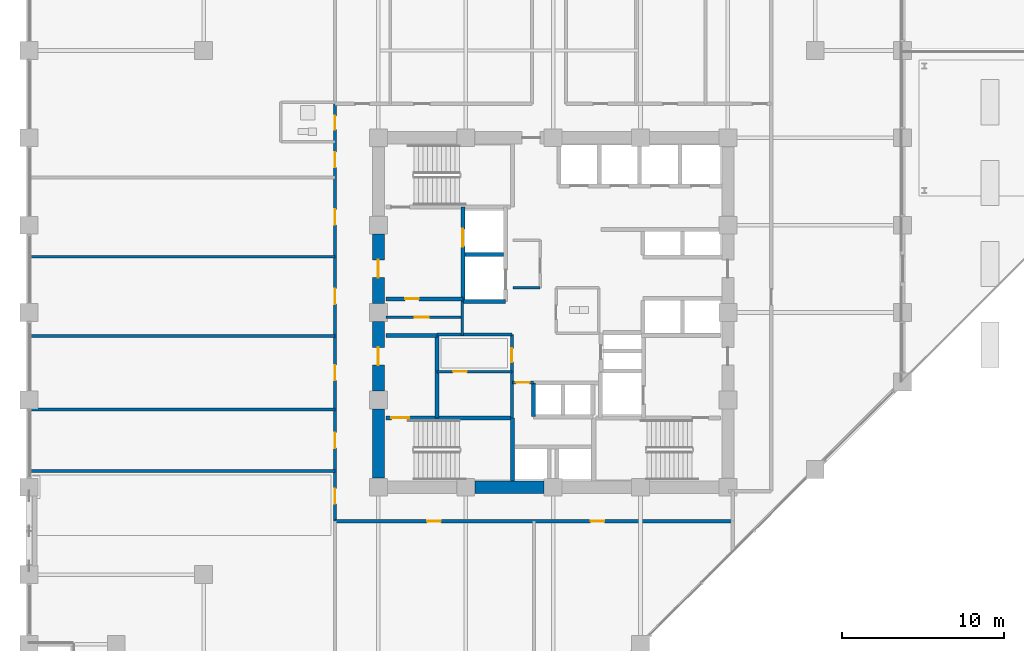
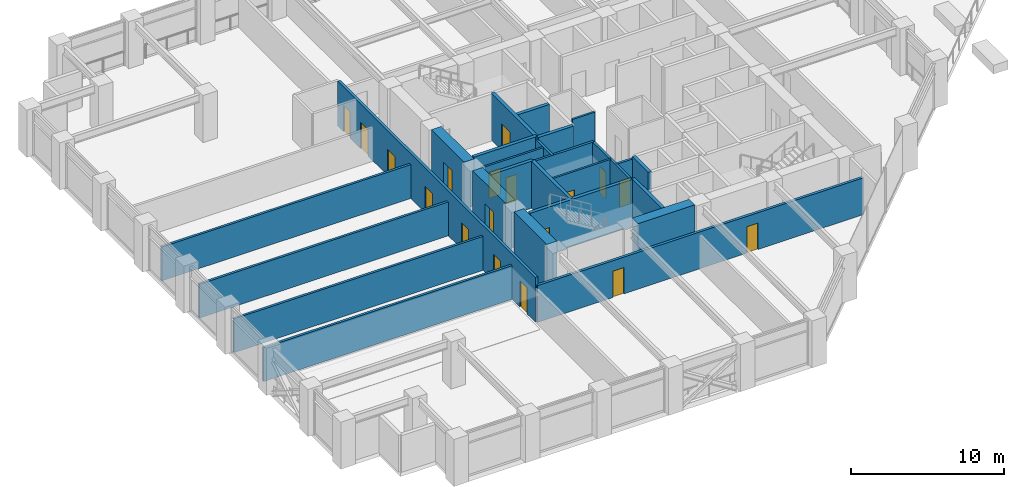
# One storey, part 20 of 30: 26 walls, 18 doors, 18 openings.
"""IFC4 building model written with IfcOpenShell, lengths in metres."""

from ifc_helpers import new_model, si_unit, direction, frame, frame_2d, origin, place, context, subcontext, project, spatial, rectangle, extrude, material, layer, layer_set, type_object, element, fill, save


model = new_model("IFC4")

# Units and contexts
model_context = context("Model", 3, precision=1e-05, world=origin(), true_north=direction((0.0, 1.0)))
body_context = subcontext(model_context, "Body", "Model", "MODEL_VIEW")
ifc_project = project(units=[si_unit("LENGTHUNIT", "METRE"), si_unit("AREAUNIT", "SQUARE_METRE"), si_unit("VOLUMEUNIT", "CUBIC_METRE"), si_unit("PLANEANGLEUNIT", "RADIAN"), si_unit("MASSUNIT", "GRAM", prefix="KILO")], contexts=[model_context])

# Site, building, storey
site_placement = place(None, origin())
site = spatial("IfcSite", under=ifc_project, at=site_placement, CompositionType="ELEMENT")
building_placement = place(site_placement, origin())
building = spatial("IfcBuilding", under=site, at=building_placement, Name="Surkhivell Harbour Commons", CompositionType="ELEMENT")
storey_placement = place(building_placement, frame((0.0, 0.0, 83.25)))
storey = spatial("IfcBuildingStorey", under=building, at=storey_placement, Name="L21", CompositionType="ELEMENT", Elevation=83.25)

# Walls
ifc_material_1 = material(Name="Concrete C60/75", Category="concrete")
ifc_layer_1 = layer(ifc_material_1, 0.75)
ifc_layer_set_1 = layer_set([ifc_layer_1], Name="Concrete C60/75")
wall_type_1 = type_object("IfcWallType", Name="WAL-CORE-750", PredefinedType="SHEAR", material=ifc_layer_set_1)
for number, where, z_axis, x_axis, name in (
    (1, (-10.800048828125, -10.239990234375, 0.0), (0.0, 0.0, 1.0), (0.0, 1.0, 0.0), "L21 Core Shear Wall West 1"),
    (2, (-4.840087890625, -10.800048828125, 0.0), (0.0, 0.0, 1.0), (1.0, 0.0, 0.0), "L21 Core Shear Wall South 2"),
):
    element("IfcWall", number, at=place(storey_placement, frame(where, z_axis=z_axis, x_axis=x_axis)), inside=storey, type_object=wall_type_1, Name=name, PredefinedType="SHEAR", context=body_context, shape_type="SweptSolid", body=[
        extrude(rectangle(XDim=4.280029296875, YDim=0.75, at=frame_2d((2.14013671875, 0.0))), origin(), (0.0, 0.0, 1.0), 3.75),
    ])

# Wall, opening, door
wall_1_placement = place(storey_placement, frame((-10.800048828125, -4.840087890625, 0.0), z_axis=(0.0, 0.0, 1.0), x_axis=(0.0, 1.0, 0.0)))
wall_1 = element("IfcWall", 3, at=wall_1_placement, inside=storey, type_object=wall_type_1, Name="L21 Core Shear Wall West 2", PredefinedType="SHEAR", context=body_context, shape_type="SweptSolid", body=[
    extrude(rectangle(XDim=4.280029296875, YDim=0.75, at=frame_2d((2.14013671875, 0.0))), origin(), (0.0, 0.0, 1.0), 3.75),
])
opening_1_placement = place(wall_1_placement, frame((1.590087890625, 0.0, 0.0)))
opening_1 = element("IfcOpeningElement", 4, at=opening_1_placement, cuts=wall_1, Name="Opening ID-2", PredefinedType="OPENING", context=body_context, shape_type="SweptSolid", body=[
    extrude(rectangle(XDim=1.10009765625, YDim=2.10009765625, at=frame_2d((0.550048828125, 1.050048828125))), frame((0.0, 0.385009765625, 0.0), z_axis=(0.0, -1.0, 0.0), x_axis=(1.0, 0.0, 0.0)), (0.0, 0.0, 1.0), 0.77001953125),
])
ifc_material_2 = material(Name="Hardwood-veneered fire-rated door leaf", Category="wood")
door_type_1 = type_object("IfcDoorType", Name="DOR-FD60-1100", OperationType="NOTDEFINED", PredefinedType="DOOR", material=ifc_material_2)
door_1_placement = place(opening_1_placement, origin())
door_1 = element("IfcDoor", 5, at=door_1_placement, inside=storey, type_object=door_type_1, Name="L21 Stair 3 Lobby Corridor Door", OperationType="SINGLE_SWING_LEFT", OverallHeight=2.10009765625, OverallWidth=1.10009765625, PredefinedType="DOOR", context=body_context, shape_type="SweptSolid", body=[
    extrude(rectangle(XDim=1.10009765625, YDim=2.10009765625, at=frame_2d((0.550048828125, 1.050048828125))), frame((0.0, 0.02490234375, 0.0), z_axis=(0.0, -1.0, 0.0), x_axis=(1.0, 0.0, 0.0)), (0.0, 0.0, 1.0), 0.050048828125),
])
fill(opening_1, door_1)

wall_2_placement = place(storey_placement, frame((-10.800048828125, 0.56005859375, 0.0), z_axis=(0.0, 0.0, 1.0), x_axis=(0.0, 1.0, 0.0)))
wall_2 = element("IfcWall", 6, at=wall_2_placement, inside=storey, type_object=wall_type_1, Name="L21 Core Shear Wall West 3", PredefinedType="SHEAR", context=body_context, shape_type="SweptSolid", body=[
    extrude(rectangle(XDim=4.280029296875, YDim=0.75, at=frame_2d((2.14013671875, 0.0))), origin(), (0.0, 0.0, 1.0), 3.75),
])
opening_2_placement = place(wall_2_placement, frame((1.590087890625, 0.0, 0.0)))
opening_2 = element("IfcOpeningElement", 7, at=opening_2_placement, cuts=wall_2, Name="Opening ID-1", PredefinedType="OPENING", context=body_context, shape_type="SweptSolid", body=[
    extrude(rectangle(XDim=1.10009765625, YDim=2.10009765625, at=frame_2d((0.550048828125, 1.050048828125))), frame((0.0, 0.385009765625, 0.0), z_axis=(0.0, -1.0, 0.0), x_axis=(1.0, 0.0, 0.0)), (0.0, 0.0, 1.0), 0.77001953125),
])
door_type_2 = type_object("IfcDoorType", Name="DOR-FD120-1100", OperationType="NOTDEFINED", PredefinedType="DOOR", material=ifc_material_2)
door_2_placement = place(opening_2_placement, origin())
door_2 = element("IfcDoor", 8, at=door_2_placement, inside=storey, type_object=door_type_2, Name="L21 Firefighting Lobby 1 Corridor Door", OperationType="SINGLE_SWING_LEFT", OverallHeight=2.10009765625, OverallWidth=1.10009765625, PredefinedType="DOOR", context=body_context, shape_type="SweptSolid", body=[
    extrude(rectangle(XDim=1.10009765625, YDim=2.10009765625, at=frame_2d((0.550048828125, 1.050048828125))), frame((0.0, 0.02490234375, 0.0), z_axis=(0.0, -1.0, 0.0), x_axis=(1.0, 0.0, 0.0)), (0.0, 0.0, 1.0), 0.050048828125),
])
fill(opening_2, door_2)

ifc_material_3 = material(Name="Twin-stud acoustic fireboard partition", Category="other")
ifc_layer_2 = layer(ifc_material_3, 0.14990234375)
ifc_layer_set_2 = layer_set([ifc_layer_2], Name="Twin-stud acoustic fireboard partition")
wall_type_2 = type_object("IfcWallType", Name="WAL-INT-150", PredefinedType="PARTITIONING", material=ifc_layer_set_2)
wall_3_placement = place(storey_placement, frame((-7.179931640625, -3.64990234375, 0.0), z_axis=(0.0, 0.0, 1.0), x_axis=(1.0, 0.0, 0.0)))
wall_3 = element("IfcWall", 9, at=wall_3_placement, inside=storey, type_object=wall_type_2, Name="L21 Core Cut C1 Partition", PredefinedType="PARTITIONING", context=body_context, shape_type="SweptSolid", body=[
    extrude(rectangle(XDim=4.6298828125, YDim=0.14990234375, at=frame_2d((2.31494140625, 0.0))), origin(), (0.0, 0.0, 1.0), 3.570068359375),
])
opening_3_placement = place(wall_3_placement, frame((1.0, 0.0, 0.0)))
opening_3 = element("IfcOpeningElement", 10, at=opening_3_placement, cuts=wall_3, Name="Opening ID-6", PredefinedType="OPENING", context=body_context, shape_type="SweptSolid", body=[
    extrude(rectangle(XDim=0.85009765625, YDim=2.10009765625, at=frame_2d((0.425048828125, 1.050048828125))), frame((0.0, 0.0849609375, 0.0), z_axis=(0.0, -1.0, 0.0), x_axis=(1.0, 0.0, 0.0)), (0.0, 0.0, 1.0), 0.169921875),
])
door_type_3 = type_object("IfcDoorType", Name="DOR-FD30-850", OperationType="NOTDEFINED", PredefinedType="DOOR", material=ifc_material_2)
door_3_placement = place(opening_3_placement, origin())
door_3 = element("IfcDoor", 11, at=door_3_placement, inside=storey, type_object=door_type_3, Name="L21 Cleaner Room Door", OperationType="SINGLE_SWING_LEFT", OverallHeight=2.10009765625, OverallWidth=0.85009765625, PredefinedType="DOOR", context=body_context, shape_type="SweptSolid", body=[
    extrude(rectangle(XDim=0.85009765625, YDim=2.10009765625, at=frame_2d((0.425048828125, 1.050048828125))), frame((0.0, 0.02490234375, 0.0), z_axis=(0.0, -1.0, 0.0), x_axis=(1.0, 0.0, 0.0)), (0.0, 0.0, 1.0), 0.050048828125),
])
fill(opening_3, door_3)

wall_4_placement = place(storey_placement, frame((-10.340087890625, -0.2900390625, 0.0), z_axis=(0.0, 0.0, 1.0), x_axis=(1.0, 0.0, 0.0)))
wall_4 = element("IfcWall", 12, at=wall_4_placement, inside=storey, type_object=wall_type_2, Name="L21 West Core Horizontal Cut", PredefinedType="PARTITIONING", context=body_context, shape_type="SweptSolid", body=[
    extrude(rectangle(XDim=4.719970703125, YDim=0.14990234375, at=frame_2d((2.35986328125, 0.0))), origin(), (0.0, 0.0, 1.0), 3.570068359375),
])
opening_4_placement = place(wall_4_placement, frame((1.800048828125, 0.0, 0.0)))
opening_4 = element("IfcOpeningElement", 13, at=opening_4_placement, cuts=wall_4, Name="Opening ID-6", PredefinedType="OPENING", context=body_context, shape_type="SweptSolid", body=[
    extrude(rectangle(XDim=0.85009765625, YDim=2.10009765625, at=frame_2d((0.425048828125, 1.050048828125))), frame((0.0, 0.0849609375, 0.0), z_axis=(0.0, -1.0, 0.0), x_axis=(1.0, 0.0, 0.0)), (0.0, 0.0, 1.0), 0.169921875),
])
door_4_placement = place(opening_4_placement, origin())
door_4 = element("IfcDoor", 14, at=door_4_placement, inside=storey, type_object=door_type_3, Name="L21 West Music Pod Door", OperationType="SINGLE_SWING_RIGHT", OverallHeight=2.10009765625, OverallWidth=0.85009765625, PredefinedType="DOOR", context=body_context, shape_type="SweptSolid", body=[
    extrude(rectangle(XDim=0.85009765625, YDim=2.10009765625, at=frame_2d((0.425048828125, 1.050048828125))), frame((0.0, 0.02490234375, 0.0), z_axis=(0.0, -1.0, 0.0), x_axis=(1.0, 0.0, 0.0)), (0.0, 0.0, 1.0), 0.050048828125),
])
fill(opening_4, door_4)

# Wall
wall_5_placement = place(storey_placement, frame((-2.47998046875, 1.52001953125, 0.0), z_axis=(0.0, 0.0, 1.0), x_axis=(1.0, 0.0, 0.0)))
element("IfcWall", 15, at=wall_5_placement, inside=storey, type_object=wall_type_2, Name="L21 Core Seminar South Wall", PredefinedType="PARTITIONING", context=body_context, shape_type="SweptSolid", body=[
    extrude(rectangle(XDim=1.679931640625, YDim=0.14990234375, at=frame_2d((0.83984375, 0.0))), origin(), (0.0, 0.0, 1.0), 3.570068359375),
])

# Wall, opening, door
ifc_material_4 = material(Name="High-density acoustic blockwork fire partition", Category="masonry")
ifc_layer_3 = layer(ifc_material_4, 0.175048828125)
ifc_layer_set_3 = layer_set([ifc_layer_3], Name="High-density acoustic blockwork fire partition")
wall_type_3 = type_object("IfcWallType", Name="WAL-INT-175", PredefinedType="PARTITIONING", material=ifc_layer_set_3)
wall_6_placement = place(storey_placement, frame((-2.550048828125, -6.510009765625, 0.0), z_axis=(0.0, 0.0, 1.0), x_axis=(0.0, 1.0, 0.0)))
wall_6 = element("IfcWall", 16, at=wall_6_placement, inside=storey, type_object=wall_type_3, Name="L21 Core Service Bay East Wall", PredefinedType="PARTITIONING", context=body_context, shape_type="SweptSolid", body=[
    extrude(rectangle(XDim=5.159912109375, YDim=0.175048828125, at=frame_2d((2.580078125, 0.0))), origin(), (0.0, 0.0, 1.0), 3.570068359375),
])
opening_5_placement = place(wall_6_placement, frame((3.449951171875, 0.0, 0.0)))
opening_5 = element("IfcOpeningElement", 17, at=opening_5_placement, cuts=wall_6, Name="Opening ID-6", PredefinedType="OPENING", context=body_context, shape_type="SweptSolid", body=[
    extrude(rectangle(XDim=0.85009765625, YDim=2.10009765625, at=frame_2d((0.425048828125, 1.050048828125))), frame((0.0, 0.097412109375, 0.0), z_axis=(0.0, -1.0, 0.0), x_axis=(1.0, 0.0, 0.0)), (0.0, 0.0, 1.0), 0.195068359375),
])
door_5_placement = place(opening_5_placement, origin())
door_5 = element("IfcDoor", 18, at=door_5_placement, inside=storey, type_object=door_type_3, Name="L21 Core Seminar Door", OperationType="SINGLE_SWING_LEFT", OverallHeight=2.10009765625, OverallWidth=0.85009765625, PredefinedType="DOOR", context=body_context, shape_type="SweptSolid", body=[
    extrude(rectangle(XDim=0.85009765625, YDim=2.10009765625, at=frame_2d((0.425048828125, 1.050048828125))), frame((0.0, 0.02490234375, 0.0), z_axis=(0.0, -1.0, 0.0), x_axis=(1.0, 0.0, 0.0)), (0.0, 0.0, 1.0), 0.050048828125),
])
fill(opening_5, door_5)

# Walls
wall_7_placement = place(storey_placement, frame((-7.179931640625, -1.35009765625, 0.0), z_axis=(0.0, 0.0, 1.0), x_axis=(1.0, 0.0, 0.0)))
element("IfcWall", 19, at=wall_7_placement, inside=storey, type_object=wall_type_3, Name="L21 Core Service Bay North Wall", PredefinedType="PARTITIONING", context=body_context, shape_type="SweptSolid", body=[
    extrude(rectangle(XDim=4.6298828125, YDim=0.175048828125, at=frame_2d((2.31494140625, 0.0))), origin(), (0.0, 0.0, 1.0), 3.570068359375),
])
wall_8_placement = place(storey_placement, frame((-5.6201171875, -1.419921875, 0.0), z_axis=(0.0, 0.0, 1.0), x_axis=(0.0, 1.0, 0.0)))
element("IfcWall", 20, at=wall_8_placement, inside=storey, type_object=wall_type_3, Name="L21 West Core Bay East Wall", PredefinedType="PARTITIONING", context=body_context, shape_type="SweptSolid", body=[
    extrude(rectangle(XDim=2.139892578125, YDim=0.175048828125, at=frame_2d((1.06982421875, 0.0))), origin(), (0.0, 0.0, 1.0), 3.570068359375),
])

# Wall, opening, door
wall_9_placement = place(storey_placement, frame((-2.52001953125, -4.320068359375, 0.0), z_axis=(0.0, 0.0, 1.0), x_axis=(1.0, 0.0, 0.0)))
wall_9 = element("IfcWall", 21, at=wall_9_placement, inside=storey, type_object=wall_type_3, Name="L21 High-Rise Lobby North Portal Wall", PredefinedType="PARTITIONING", context=body_context, shape_type="SweptSolid", body=[
    extrude(rectangle(XDim=1.300048828125, YDim=0.175048828125, at=frame_2d((0.64990234375, 0.0))), origin(), (0.0, 0.0, 1.0), 3.570068359375),
])
opening_6_placement = place(wall_9_placement, frame((0.219970703125, 0.0, 0.0)))
opening_6 = element("IfcOpeningElement", 22, at=opening_6_placement, cuts=wall_9, Name="Opening ID-6", PredefinedType="OPENING", context=body_context, shape_type="SweptSolid", body=[
    extrude(rectangle(XDim=0.85009765625, YDim=2.10009765625, at=frame_2d((0.425048828125, 1.050048828125))), frame((0.0, 0.097412109375, 0.0), z_axis=(0.0, -1.0, 0.0), x_axis=(1.0, 0.0, 0.0)), (0.0, 0.0, 1.0), 0.195068359375),
])
door_6_placement = place(opening_6_placement, origin())
door_6 = element("IfcDoor", 23, at=door_6_placement, inside=storey, type_object=door_type_3, Name="L21 High-Rise Lift Lobby North Door", OperationType="SINGLE_SWING_LEFT", OverallHeight=2.10009765625, OverallWidth=0.85009765625, PredefinedType="DOOR", context=body_context, shape_type="SweptSolid", body=[
    extrude(rectangle(XDim=0.85009765625, YDim=2.10009765625, at=frame_2d((0.425048828125, 1.050048828125))), frame((0.0, 0.02490234375, 0.0), z_axis=(0.0, -1.0, 0.0), x_axis=(1.0, 0.0, 0.0)), (0.0, 0.0, 1.0), 0.050048828125),
])
fill(opening_6, door_6)

# Walls
for number, where, z_axis, x_axis, name in (
    (24, (-32.340087890625, -5.989990234375, 0.0), (0.0, 0.0, 1.0), (1.0, 0.0, 0.0), "L21 West Partition BDP1"),
    (25, (-32.340087890625, -1.449951171875, 0.0), (0.0, 0.0, 1.0), (1.0, 0.0, 0.0), "L21 West Partition BDP2"),
    (26, (-32.340087890625, 3.449951171875, 0.0), (0.0, 0.0, 1.0), (1.0, 0.0, 0.0), "L21 West Partition BDP3"),
    (27, (-32.340087890625, -9.800048828125, 0.0), (0.0, 0.0, 1.0), (1.0, 0.0, 0.0), "L21 West Partition PBOT"),
):
    element("IfcWall", number, at=place(storey_placement, frame(where, z_axis=z_axis, x_axis=x_axis)), inside=storey, type_object=wall_type_3, Name=name, PredefinedType="PARTITIONING", context=body_context, shape_type="SweptSolid", body=[
        extrude(rectangle(XDim=18.860107421875, YDim=0.175048828125, at=frame_2d((9.43017578125, 0.0))), origin(), (0.0, 0.0, 1.0), 2.698974609375),
    ])

# Wall, openings, doors
ifc_material_5 = material(Name="Autoclaved aerated concrete blockwork and fire plaster", Category="masonry")
ifc_layer_4 = layer(ifc_material_5, 0.199951171875)
ifc_layer_set_4 = layer_set([ifc_layer_4], Name="Autoclaved aerated concrete blockwork and fire plaster")
wall_type_4 = type_object("IfcWallType", Name="WAL-INT-200", PredefinedType="PARTITIONING", material=ifc_layer_set_4)
wall_10_placement = place(storey_placement, frame((-13.47998046875, -12.89990234375, 0.0), z_axis=(0.0, 0.0, 1.0), x_axis=(1.0, 0.0, 0.0)))
wall_10 = element("IfcWall", 28, at=wall_10_placement, inside=storey, type_object=wall_type_4, Name="L21 Corridor South Wall", PredefinedType="PARTITIONING", context=body_context, shape_type="SweptSolid", body=[
    extrude(rectangle(XDim=24.580078125, YDim=0.199951171875, at=frame_2d((12.2900390625, 0.0))), origin(), (0.0, 0.0, 1.0), 2.93310546875),
])
opening_7_placement = place(wall_10_placement, frame((5.695068359375, 0.0, 0.0)))
opening_7 = element("IfcOpeningElement", 29, at=opening_7_placement, cuts=wall_10, Name="Opening ID-6", PredefinedType="OPENING", context=body_context, shape_type="SweptSolid", body=[
    extrude(rectangle(XDim=0.85009765625, YDim=2.10009765625, at=frame_2d((0.425048828125, 1.050048828125))), frame((0.0, 0.10986328125, 0.0), z_axis=(0.0, -1.0, 0.0), x_axis=(1.0, 0.0, 0.0)), (0.0, 0.0, 1.0), 0.219970703125),
])
opening_8_placement = place(wall_10_placement, frame((15.793701171875, 0.0, 0.0)))
opening_8 = element("IfcOpeningElement", 30, at=opening_8_placement, cuts=wall_10, Name="Opening ID-6", PredefinedType="OPENING", context=body_context, shape_type="SweptSolid", body=[
    extrude(rectangle(XDim=0.85009765625, YDim=2.10009765625, at=frame_2d((0.425048828125, 1.050048828125))), frame((0.0, 0.10986328125, 0.0), z_axis=(0.0, -1.0, 0.0), x_axis=(1.0, 0.0, 0.0)), (0.0, 0.0, 1.0), 0.219970703125),
])
door_7_placement = place(opening_7_placement, origin())
door_7 = element("IfcDoor", 31, at=door_7_placement, inside=storey, type_object=door_type_3, Name="L21 Campus Co-Op Bookshop South Door", OperationType="SINGLE_SWING_LEFT", OverallHeight=2.10009765625, OverallWidth=0.85009765625, PredefinedType="DOOR", context=body_context, shape_type="SweptSolid", body=[
    extrude(rectangle(XDim=0.85009765625, YDim=2.10009765625, at=frame_2d((0.425048828125, 1.050048828125))), frame((0.0, 0.02490234375, 0.0), z_axis=(0.0, -1.0, 0.0), x_axis=(1.0, 0.0, 0.0)), (0.0, 0.0, 1.0), 0.050048828125),
])
fill(opening_7, door_7)
door_8_placement = place(opening_8_placement, origin())
door_8 = element("IfcDoor", 32, at=door_8_placement, inside=storey, type_object=door_type_3, Name="L21 Harbour Espresso Cafe Shop South Door", OperationType="SINGLE_SWING_RIGHT", OverallHeight=2.10009765625, OverallWidth=0.85009765625, PredefinedType="DOOR", context=body_context, shape_type="SweptSolid", body=[
    extrude(rectangle(XDim=0.85009765625, YDim=2.10009765625, at=frame_2d((0.425048828125, 1.050048828125))), frame((0.0, 0.02490234375, 0.0), z_axis=(0.0, -1.0, 0.0), x_axis=(1.0, 0.0, 0.0)), (0.0, 0.0, 1.0), 0.050048828125),
])
fill(opening_8, door_8)

wall_11_placement = place(storey_placement, frame((-13.47998046875, -12.89990234375, 0.0), z_axis=(0.0, 0.0, 1.0), x_axis=(0.0, 1.0, 0.0)))
wall_11 = element("IfcWall", 33, at=wall_11_placement, inside=storey, type_object=wall_type_4, Name="L21 Corridor West Wall", PredefinedType="PARTITIONING", context=body_context, shape_type="SweptSolid", body=[
    extrude(rectangle(XDim=25.7998046875, YDim=0.199951171875, at=frame_2d((12.89990234375, 0.0))), origin(), (0.0, 0.0, 1.0), 3.570068359375),
])
opening_9_placement = place(wall_11_placement, frame((1.070068359375, 0.0, 0.0)))
opening_9 = element("IfcOpeningElement", 34, at=opening_9_placement, cuts=wall_11, Name="Opening ID-4", PredefinedType="OPENING", context=body_context, shape_type="SweptSolid", body=[
    extrude(rectangle(XDim=0.949951171875, YDim=2.10009765625, at=frame_2d((0.47509765625, 1.050048828125))), frame((0.0, 0.10986328125, 0.0), z_axis=(0.0, -1.0, 0.0), x_axis=(1.0, 0.0, 0.0)), (0.0, 0.0, 1.0), 0.219970703125),
])
opening_10_placement = place(wall_11_placement, frame((24.205078125, 0.0, 0.0)))
opening_10 = element("IfcOpeningElement", 35, at=opening_10_placement, cuts=wall_11, Name="Opening ID-6", PredefinedType="OPENING", context=body_context, shape_type="SweptSolid", body=[
    extrude(rectangle(XDim=0.85009765625, YDim=2.10009765625, at=frame_2d((0.425048828125, 1.050048828125))), frame((0.0, 0.10986328125, 0.0), z_axis=(0.0, -1.0, 0.0), x_axis=(1.0, 0.0, 0.0)), (0.0, 0.0, 1.0), 0.219970703125),
])
opening_11_placement = place(wall_11_placement, frame((21.8701171875, 0.0, 0.0)))
opening_11 = element("IfcOpeningElement", 36, at=opening_11_placement, cuts=wall_11, Name="Opening ID-4", PredefinedType="OPENING", context=body_context, shape_type="SweptSolid", body=[
    extrude(rectangle(XDim=0.949951171875, YDim=2.10009765625, at=frame_2d((0.47509765625, 1.050048828125))), frame((0.0, 0.10986328125, 0.0), z_axis=(0.0, -1.0, 0.0), x_axis=(1.0, 0.0, 0.0)), (0.0, 0.0, 1.0), 0.219970703125),
])
opening_12_placement = place(wall_11_placement, frame((4.52490234375, 0.0, 0.0)))
opening_12 = element("IfcOpeningElement", 37, at=opening_12_placement, cuts=wall_11, Name="Opening ID-4", PredefinedType="OPENING", context=body_context, shape_type="SweptSolid", body=[
    extrude(rectangle(XDim=0.949951171875, YDim=2.10009765625, at=frame_2d((0.47509765625, 1.050048828125))), frame((0.0, 0.10986328125, 0.0), z_axis=(0.0, -1.0, 0.0), x_axis=(1.0, 0.0, 0.0)), (0.0, 0.0, 1.0), 0.219970703125),
])
opening_13_placement = place(wall_11_placement, frame((8.699951171875, 0.0, 0.0)))
opening_13 = element("IfcOpeningElement", 38, at=opening_13_placement, cuts=wall_11, Name="Opening ID-4", PredefinedType="OPENING", context=body_context, shape_type="SweptSolid", body=[
    extrude(rectangle(XDim=0.949951171875, YDim=2.10009765625, at=frame_2d((0.47509765625, 1.050048828125))), frame((0.0, 0.10986328125, 0.0), z_axis=(0.0, -1.0, 0.0), x_axis=(1.0, 0.0, 0.0)), (0.0, 0.0, 1.0), 0.219970703125),
])
opening_14_placement = place(wall_11_placement, frame((13.419921875, 0.0, 0.0)))
opening_14 = element("IfcOpeningElement", 39, at=opening_14_placement, cuts=wall_11, Name="Opening ID-4", PredefinedType="OPENING", context=body_context, shape_type="SweptSolid", body=[
    extrude(rectangle(XDim=0.949951171875, YDim=2.10009765625, at=frame_2d((0.47509765625, 1.050048828125))), frame((0.0, 0.10986328125, 0.0), z_axis=(0.0, -1.0, 0.0), x_axis=(1.0, 0.0, 0.0)), (0.0, 0.0, 1.0), 0.219970703125),
])
opening_15_placement = place(wall_11_placement, frame((18.320068359375, 0.0, 0.0)))
opening_15 = element("IfcOpeningElement", 40, at=opening_15_placement, cuts=wall_11, Name="Opening ID-4", PredefinedType="OPENING", context=body_context, shape_type="SweptSolid", body=[
    extrude(rectangle(XDim=0.949951171875, YDim=2.10009765625, at=frame_2d((0.47509765625, 1.050048828125))), frame((0.0, 0.10986328125, 0.0), z_axis=(0.0, -1.0, 0.0), x_axis=(1.0, 0.0, 0.0)), (0.0, 0.0, 1.0), 0.219970703125),
])
door_9_placement = place(opening_10_placement, origin())
door_9 = element("IfcDoor", 41, at=door_9_placement, inside=storey, type_object=door_type_3, Name="L21 Communal Shower Bathroom West Door", OperationType="SINGLE_SWING_LEFT", OverallHeight=2.10009765625, OverallWidth=0.85009765625, PredefinedType="DOOR", context=body_context, shape_type="SweptSolid", body=[
    extrude(rectangle(XDim=0.85009765625, YDim=2.10009765625, at=frame_2d((0.425048828125, 1.050048828125))), frame((0.0, 0.02490234375, 0.0), z_axis=(0.0, -1.0, 0.0), x_axis=(1.0, 0.0, 0.0)), (0.0, 0.0, 1.0), 0.050048828125),
])
fill(opening_10, door_9)
door_type_4 = type_object("IfcDoorType", Name="DOR-FD60-950", OperationType="NOTDEFINED", PredefinedType="DOOR", material=ifc_material_2)
door_10_placement = place(opening_9_placement, origin())
door_10 = element("IfcDoor", 42, at=door_10_placement, inside=storey, type_object=door_type_4, Name="L21 Shared Communal Kitchen West Door", OperationType="SINGLE_SWING_RIGHT", OverallHeight=2.10009765625, OverallWidth=0.949951171875, PredefinedType="DOOR", context=body_context, shape_type="SweptSolid", body=[
    extrude(rectangle(XDim=0.949951171875, YDim=2.10009765625, at=frame_2d((0.47509765625, 1.050048828125))), frame((0.0, 0.02490234375, 0.0), z_axis=(0.0, -1.0, 0.0), x_axis=(1.0, 0.0, 0.0)), (0.0, 0.0, 1.0), 0.050048828125),
])
fill(opening_9, door_10)
door_11_placement = place(opening_11_placement, origin())
door_11 = element("IfcDoor", 43, at=door_11_placement, inside=storey, type_object=door_type_4, Name="L21 Academic Reading Commons West Door", OperationType="SINGLE_SWING_RIGHT", OverallHeight=2.10009765625, OverallWidth=0.949951171875, PredefinedType="DOOR", context=body_context, shape_type="SweptSolid", body=[
    extrude(rectangle(XDim=0.949951171875, YDim=2.10009765625, at=frame_2d((0.47509765625, 1.050048828125))), frame((0.0, 0.02490234375, 0.0), z_axis=(0.0, -1.0, 0.0), x_axis=(1.0, 0.0, 0.0)), (0.0, 0.0, 1.0), 0.050048828125),
])
fill(opening_11, door_11)
door_12_placement = place(opening_12_placement, origin())
door_12 = element("IfcDoor", 44, at=door_12_placement, inside=storey, type_object=door_type_4, Name="L21 Hostel Cluster Bedroom 1 West Door", OperationType="SINGLE_SWING_LEFT", OverallHeight=2.10009765625, OverallWidth=0.949951171875, PredefinedType="DOOR", context=body_context, shape_type="SweptSolid", body=[
    extrude(rectangle(XDim=0.949951171875, YDim=2.10009765625, at=frame_2d((0.47509765625, 1.050048828125))), frame((0.0, 0.02490234375, 0.0), z_axis=(0.0, -1.0, 0.0), x_axis=(1.0, 0.0, 0.0)), (0.0, 0.0, 1.0), 0.050048828125),
])
fill(opening_12, door_12)
door_13_placement = place(opening_13_placement, origin())
door_13 = element("IfcDoor", 45, at=door_13_placement, inside=storey, type_object=door_type_4, Name="L21 Co-Living Dormitory Bedroom 2 West Door", OperationType="SINGLE_SWING_RIGHT", OverallHeight=2.10009765625, OverallWidth=0.949951171875, PredefinedType="DOOR", context=body_context, shape_type="SweptSolid", body=[
    extrude(rectangle(XDim=0.949951171875, YDim=2.10009765625, at=frame_2d((0.47509765625, 1.050048828125))), frame((0.0, 0.02490234375, 0.0), z_axis=(0.0, -1.0, 0.0), x_axis=(1.0, 0.0, 0.0)), (0.0, 0.0, 1.0), 0.050048828125),
])
fill(opening_13, door_13)
door_14_placement = place(opening_14_placement, origin())
door_14 = element("IfcDoor", 46, at=door_14_placement, inside=storey, type_object=door_type_4, Name="L21 Hostel Cluster Bedroom 3 West Door", OperationType="SINGLE_SWING_LEFT", OverallHeight=2.10009765625, OverallWidth=0.949951171875, PredefinedType="DOOR", context=body_context, shape_type="SweptSolid", body=[
    extrude(rectangle(XDim=0.949951171875, YDim=2.10009765625, at=frame_2d((0.47509765625, 1.050048828125))), frame((0.0, 0.02490234375, 0.0), z_axis=(0.0, -1.0, 0.0), x_axis=(1.0, 0.0, 0.0)), (0.0, 0.0, 1.0), 0.050048828125),
])
fill(opening_14, door_14)
door_15_placement = place(opening_15_placement, origin())
door_15 = element("IfcDoor", 47, at=door_15_placement, inside=storey, type_object=door_type_4, Name="L21 Co-Living Dormitory Bedroom 4 West Door", OperationType="SINGLE_SWING_RIGHT", OverallHeight=2.10009765625, OverallWidth=0.949951171875, PredefinedType="DOOR", context=body_context, shape_type="SweptSolid", body=[
    extrude(rectangle(XDim=0.949951171875, YDim=2.10009765625, at=frame_2d((0.47509765625, 1.050048828125))), frame((0.0, 0.02490234375, 0.0), z_axis=(0.0, -1.0, 0.0), x_axis=(1.0, 0.0, 0.0)), (0.0, 0.0, 1.0), 0.050048828125),
])
fill(opening_15, door_15)

# Wall, opening, door
ifc_material_6 = material(Name="Concrete C50/60", Category="concrete")
ifc_layer_5 = layer(ifc_material_6, 0.25)
ifc_layer_set_5 = layer_set([ifc_layer_5], Name="Concrete C50/60")
wall_type_5 = type_object("IfcWallType", Name="WAL-SHAFT-250", PredefinedType="SHEAR", material=ifc_layer_set_5)
wall_12_placement = place(storey_placement, frame((-5.580078125, 0.719970703125, 0.0), z_axis=(0.0, 0.0, 1.0), x_axis=(0.0, 1.0, 0.0)))
wall_12 = element("IfcWall", 48, at=wall_12_placement, inside=storey, type_object=wall_type_5, Name="L21 Firefighting Lobby 1 East Shaft Wall", PredefinedType="SHEAR", context=body_context, shape_type="SweptSolid", body=[
    extrude(rectangle(XDim=5.7900390625, YDim=0.25, at=frame_2d((2.89501953125, 0.0))), origin(), (0.0, 0.0, 1.0), 3.75),
])
opening_16_placement = place(wall_12_placement, frame((3.35009765625, 0.0, 0.0)))
opening_16 = element("IfcOpeningElement", 49, at=opening_16_placement, cuts=wall_12, Name="Opening LD-1", PredefinedType="OPENING", context=body_context, shape_type="SweptSolid", body=[
    extrude(rectangle(XDim=1.10009765625, YDim=2.10009765625, at=frame_2d((0.550048828125, 1.050048828125))), frame((0.0, 0.135009765625, 0.0), z_axis=(0.0, -1.0, 0.0), x_axis=(1.0, 0.0, 0.0)), (0.0, 0.0, 1.0), 0.27001953125),
])
ifc_material_7 = material(Name="Brushed stainless steel S355", Category="steel")
door_type_5 = type_object("IfcDoorType", Name="DOR-LD-1100", OperationType="SLIDING_TO_LEFT", PredefinedType="DOOR", material=ifc_material_7)
door_16_placement = place(opening_16_placement, origin())
door_16 = element("IfcDoor", 50, at=door_16_placement, inside=storey, type_object=door_type_5, Name="L21 Lift Landing Door LD-FFL1", OperationType="SLIDING_TO_LEFT", OverallHeight=2.10009765625, OverallWidth=1.10009765625, PredefinedType="DOOR", context=body_context, shape_type="SweptSolid", body=[
    extrude(rectangle(XDim=1.10009765625, YDim=2.10009765625, at=frame_2d((0.550048828125, 1.050048828125))), frame((0.0, 0.02490234375, 0.0), z_axis=(0.0, -1.0, 0.0), x_axis=(1.0, 0.0, 0.0)), (0.0, 0.0, 1.0), 0.050048828125),
])
fill(opening_16, door_16)

wall_13_placement = place(storey_placement, frame((-10.340087890625, 0.85009765625, 0.0), z_axis=(0.0, 0.0, 1.0), x_axis=(1.0, 0.0, 0.0)))
wall_13 = element("IfcWall", 51, at=wall_13_placement, inside=storey, type_object=wall_type_5, Name="L21 Firefighting Lobby 1 South Wall", PredefinedType="SHEAR", context=body_context, shape_type="SweptSolid", body=[
    extrude(rectangle(XDim=4.760009765625, YDim=0.25, at=frame_2d((2.3798828125, 0.0))), origin(), (0.0, 0.0, 1.0), 3.75),
])
opening_17_placement = place(wall_13_placement, frame((1.199951171875, 0.0, 0.0)))
opening_17 = element("IfcOpeningElement", 52, at=opening_17_placement, cuts=wall_13, Name="Opening ID-6", PredefinedType="OPENING", context=body_context, shape_type="SweptSolid", body=[
    extrude(rectangle(XDim=0.85009765625, YDim=2.10009765625, at=frame_2d((0.425048828125, 1.050048828125))), frame((0.0, 0.135009765625, 0.0), z_axis=(0.0, -1.0, 0.0), x_axis=(1.0, 0.0, 0.0)), (0.0, 0.0, 1.0), 0.27001953125),
])
door_17_placement = place(opening_17_placement, origin())
door_17 = element("IfcDoor", 53, at=door_17_placement, inside=storey, type_object=door_type_3, Name="L21 West Reading Alcove Door", OperationType="SINGLE_SWING_LEFT", OverallHeight=2.10009765625, OverallWidth=0.85009765625, PredefinedType="DOOR", context=body_context, shape_type="SweptSolid", body=[
    extrude(rectangle(XDim=0.85009765625, YDim=2.10009765625, at=frame_2d((0.425048828125, 1.050048828125))), frame((0.0, 0.02490234375, 0.0), z_axis=(0.0, -1.0, 0.0), x_axis=(1.0, 0.0, 0.0)), (0.0, 0.0, 1.0), 0.050048828125),
])
fill(opening_17, door_17)

# Walls
wall_14_placement = place(storey_placement, frame((-1.219970703125, -6.43994140625, 0.0), z_axis=(0.0, 0.0, 1.0), x_axis=(0.0, 1.0, 0.0)))
element("IfcWall", 54, at=wall_14_placement, inside=storey, type_object=wall_type_5, Name="L21 High-Rise Passage East Shaft Wall", PredefinedType="SHEAR", context=body_context, shape_type="SweptSolid", body=[
    extrude(rectangle(XDim=2.079833984375, YDim=0.25, at=frame_2d((1.0400390625, 0.0))), origin(), (0.0, 0.0, 1.0), 3.75),
])
wall_15_placement = place(storey_placement, frame((-2.510009765625, -10.425048828125, 0.0), z_axis=(0.0, 0.0, 1.0), x_axis=(0.0, 1.0, 0.0)))
element("IfcWall", 55, at=wall_15_placement, inside=storey, type_object=wall_type_5, Name="L21 Stair ST3 East Shear Wall", PredefinedType="SHEAR", context=body_context, shape_type="SweptSolid", body=[
    extrude(rectangle(XDim=3.9150390625, YDim=0.25, at=frame_2d((1.95751953125, 0.0))), origin(), (0.0, 0.0, 1.0), 3.75),
])
wall_16_placement = place(storey_placement, frame((-7.179931640625, -6.510009765625, 0.0), z_axis=(0.0, 0.0, 1.0), x_axis=(0.0, 1.0, 0.0)))
element("IfcWall", 56, at=wall_16_placement, inside=storey, type_object=wall_type_5, Name="L21 Stair 3 Lobby East Wall", PredefinedType="SHEAR", context=body_context, shape_type="SweptSolid", body=[
    extrude(rectangle(XDim=5.090087890625, YDim=0.25, at=frame_2d((2.544921875, 0.0))), origin(), (0.0, 0.0, 1.0), 3.75),
])
wall_17_placement = place(storey_placement, frame((-10.340087890625, -1.419921875, 0.0), z_axis=(0.0, 0.0, 1.0), x_axis=(1.0, 0.0, 0.0)))
element("IfcWall", 57, at=wall_17_placement, inside=storey, type_object=wall_type_5, Name="L21 Stair 3 Lobby North Wall", PredefinedType="SHEAR", context=body_context, shape_type="SweptSolid", body=[
    extrude(rectangle(XDim=3.16015625, YDim=0.25, at=frame_2d((1.580078125, 0.0))), origin(), (0.0, 0.0, 1.0), 3.75),
])

# Wall, opening, door
wall_18_placement = place(storey_placement, frame((-10.340087890625, -6.510009765625, 0.0), z_axis=(0.0, 0.0, 1.0), x_axis=(1.0, 0.0, 0.0)))
wall_18 = element("IfcWall", 58, at=wall_18_placement, inside=storey, type_object=wall_type_5, Name="L21 Stair ST3 North Shear Wall", PredefinedType="SHEAR", context=body_context, shape_type="SweptSolid", body=[
    extrude(rectangle(XDim=7.7001953125, YDim=0.25, at=frame_2d((3.85009765625, 0.0))), origin(), (0.0, 0.0, 1.0), 3.75),
])
opening_18_placement = place(wall_18_placement, frame((0.35009765625, 0.0, 0.0)))
opening_18 = element("IfcOpeningElement", 59, at=opening_18_placement, cuts=wall_18, Name="Opening ID-2", PredefinedType="OPENING", context=body_context, shape_type="SweptSolid", body=[
    extrude(rectangle(XDim=1.10009765625, YDim=2.10009765625, at=frame_2d((0.550048828125, 1.050048828125))), frame((0.0, 0.135009765625, 0.0), z_axis=(0.0, -1.0, 0.0), x_axis=(1.0, 0.0, 0.0)), (0.0, 0.0, 1.0), 0.27001953125),
])
door_18_placement = place(opening_18_placement, origin())
door_18 = element("IfcDoor", 60, at=door_18_placement, inside=storey, type_object=door_type_1, Name="L21 Stair ST3 Exit Door", OperationType="SINGLE_SWING_RIGHT", OverallHeight=2.10009765625, OverallWidth=1.10009765625, PredefinedType="DOOR", context=body_context, shape_type="SweptSolid", body=[
    extrude(rectangle(XDim=1.10009765625, YDim=2.10009765625, at=frame_2d((0.550048828125, 1.050048828125))), frame((0.0, 0.02490234375, 0.0), z_axis=(0.0, -1.0, 0.0), x_axis=(1.0, 0.0, 0.0)), (0.0, 0.0, 1.0), 0.050048828125),
])
fill(opening_18, door_18)

# Walls
wall_19_placement = place(storey_placement, frame((-5.449951171875, 3.60009765625, 0.0), z_axis=(0.0, 0.0, 1.0), x_axis=(1.0, 0.0, 0.0)))
element("IfcWall", 61, at=wall_19_placement, inside=storey, type_object=wall_type_5, Name="L21 FFL1/SVL1 Shaft Divider", PredefinedType="SHEAR", context=body_context, shape_type="SweptSolid", body=[
    extrude(rectangle(XDim=2.389892578125, YDim=0.25, at=frame_2d((1.19482421875, 0.0))), origin(), (0.0, 0.0, 1.0), 3.75),
])
wall_20_placement = place(storey_placement, frame((-5.580078125, 0.679931640625, 0.0), z_axis=(0.0, 0.0, 1.0), x_axis=(1.0, 0.0, 0.0)))
element("IfcWall", 62, at=wall_20_placement, inside=storey, type_object=wall_type_5, Name="L21 SVL1 South Shaft Wall", PredefinedType="SHEAR", context=body_context, shape_type="SweptSolid", body=[
    extrude(rectangle(XDim=2.650146484375, YDim=0.25, at=frame_2d((1.3251953125, 0.0))), origin(), (0.0, 0.0, 1.0), 3.75),
])

save(model, "model.ifc")
